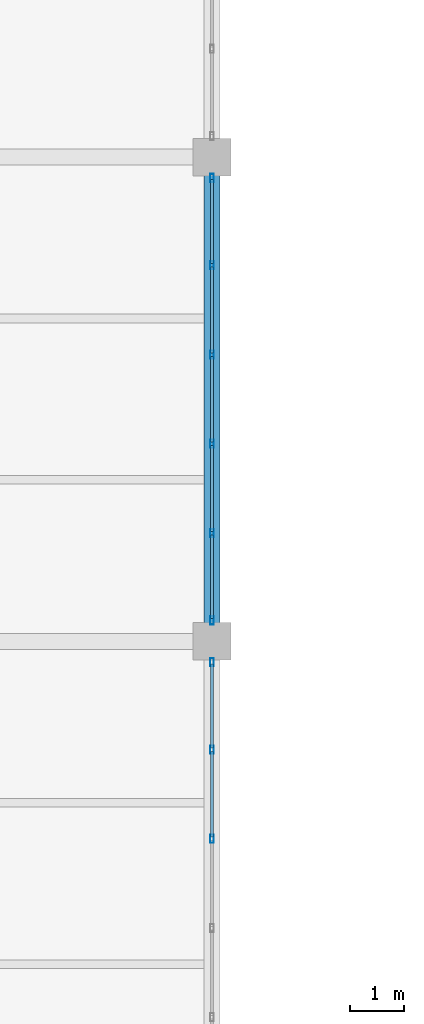
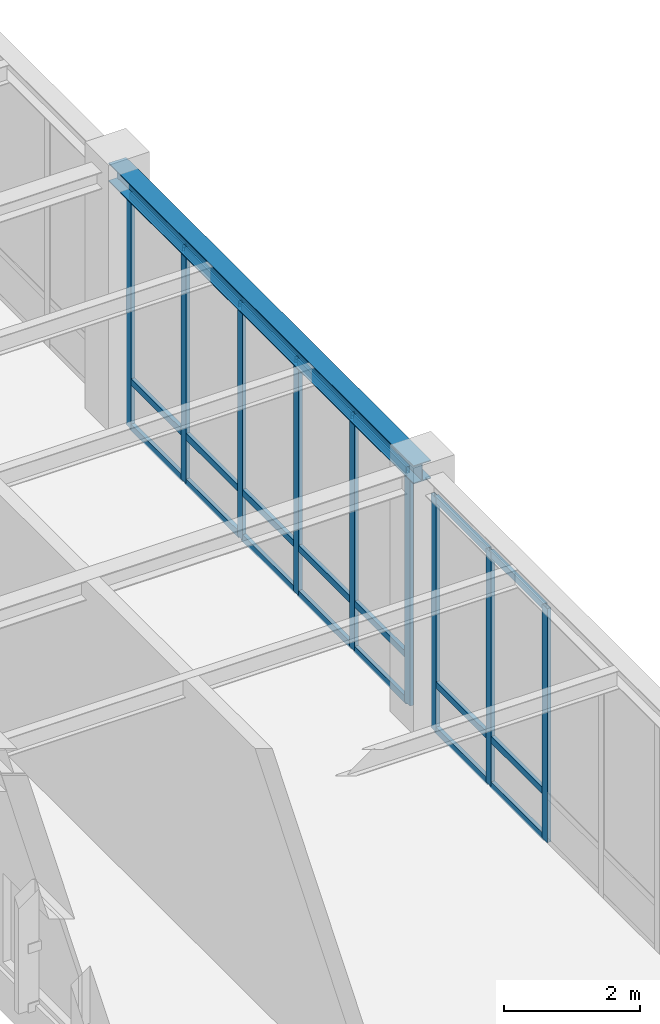
# One storey, part 36 of 98: 30 members, 1 beam, 2 elements without a shape of their own.
"""IFC4 building model written with IfcOpenShell, lengths in metres."""

import ifcopenshell
import ifcopenshell.guid

model = None  # the IFC model being written
_history = None  # IfcOwnerHistory: only IFC2X3 demands one
_inside = {}  # id of a spatial element -> (the spatial element, [elements in it])
_under = {}  # id of a project, library or spatial element -> (it, [spatial elements below it])
_declared = {}  # id of a project -> (the project, [libraries it declares])
_typed = {}  # id of a type object -> (the type object, [elements of that type])
_made_of = {}  # id of a material, layer set ... -> (it, [elements and type objects made of it])


def new_model(schema):
    """Start an empty IFC model of exactly this schema.

    Asked for "IFC4X3", IfcOpenShell would pick the latest addendum, in which some entities
    have other attributes; the version numbers below select the first issue.
    IFC2X3 requires an IfcOwnerHistory on every rooted entity: one is made here for all.
    """
    global model, _history
    if schema == "IFC4X3":
        model = ifcopenshell.file(schema_version=(4, 3, 0, 0))
    else:
        model = ifcopenshell.file(schema=schema)
    _inside.clear()
    _under.clear()
    _declared.clear()
    _typed.clear()
    _made_of.clear()
    _history = None
    if model.schema == "IFC2X3":
        org = make("IfcOrganization", Name="unknown")
        user = make(
            "IfcPersonAndOrganization",
            ThePerson=make("IfcPerson", FamilyName="unknown"),
            TheOrganization=org,
        )
        app = make(
            "IfcApplication",
            ApplicationDeveloper=org,
            Version="unknown",
            ApplicationFullName="unknown",
            ApplicationIdentifier="unknown",
        )
        _history = make(
            "IfcOwnerHistory",
            OwningUser=user,
            OwningApplication=app,
            ChangeAction="ADDED",
            CreationDate=0,
        )
    return model


def make(cls, **values):
    """One entity of the class cls with the attributes given. An attribute that is None is left unset."""
    return model.create_entity(
        cls, **{name: value for name, value in values.items() if value is not None}
    )


def rooted(cls, **values):
    """An entity with a GlobalId (a new one), such as an element, a storey or a relation."""
    return make(cls, GlobalId=ifcopenshell.guid.new(), OwnerHistory=_history, **values)


def si_unit(unit_type, name, prefix=None):
    """IfcSIUnit, for example si_unit("LENGTHUNIT", "METRE", prefix="MILLI")."""
    return make("IfcSIUnit", UnitType=unit_type, Prefix=prefix, Name=name)


def assignment(units):
    """IfcUnitAssignment: the units of a project."""
    return None if units is None else make("IfcUnitAssignment", Units=units)


def point(xyz):
    """IfcCartesianPoint."""
    return None if xyz is None else make("IfcCartesianPoint", Coordinates=xyz)


def direction(xyz):
    """IfcDirection."""
    return None if xyz is None else make("IfcDirection", DirectionRatios=xyz)


def frame(location, z_axis=None, x_axis=None):
    """IfcAxis2Placement3D, a coordinate frame: its origin and axes. An axis left out is left unset."""
    return make(
        "IfcAxis2Placement3D",
        Location=point(location),
        Axis=direction(z_axis),
        RefDirection=direction(x_axis),
    )


def frame_2d(location, x_axis=None):
    """IfcAxis2Placement2D, a coordinate frame in the plane: its origin and x axis."""
    return make(
        "IfcAxis2Placement2D", Location=point(location), RefDirection=direction(x_axis)
    )


def origin():
    """The frame at (0, 0, 0) with its axes left unset."""
    return frame((0.0, 0.0, 0.0))


def origin_2d():
    """The frame at (0, 0) in the plane with its x axis left unset."""
    return frame_2d((0.0, 0.0))


def place(relative_to, where):
    """IfcLocalPlacement: puts the frame where relative to a parent placement (None: the world)."""
    return make(
        "IfcLocalPlacement", PlacementRelTo=relative_to, RelativePlacement=where
    )


def context(
    kind, dimensions, precision=None, world=None, true_north=None, identifier=None
):
    """IfcGeometricRepresentationContext, for example the 3D "Model" context."""
    return make(
        "IfcGeometricRepresentationContext",
        ContextIdentifier=identifier,
        ContextType=kind,
        CoordinateSpaceDimension=dimensions,
        Precision=precision,
        WorldCoordinateSystem=world,
        TrueNorth=true_north,
    )


def subcontext(parent, identifier, kind, view, scale=None):
    """IfcGeometricRepresentationSubContext, for example "Body" below "Model"."""
    return make(
        "IfcGeometricRepresentationSubContext",
        ContextIdentifier=identifier,
        ContextType=kind,
        ParentContext=parent,
        TargetScale=scale,
        TargetView=view,
    )


def project(units=None, contexts=None):
    """IfcProject with its units and contexts."""
    return rooted(
        "IfcProject",
        Name="project",
        RepresentationContexts=contexts,
        UnitsInContext=assignment(units),
    )


def spatial(cls, under=None, at=None, **own):
    """A site, building, storey or space (cls), placed at a placement, below another one or the project."""
    s = rooted(cls, ObjectPlacement=at, **own)
    if under is not None:
        _under.setdefault(under.id(), (under, []))[1].append(s)
    return s


def profile(cls, at=None, kind="AREA", **sizes):
    """A parametric profile (cls). Its sizes go by their IFC names, for example OverallWidth=200.0."""
    return make(cls, ProfileType=kind, Position=at, **sizes)


def hollow_rectangle(**sizes):
    """IfcRectangleHollowProfileDef."""
    return profile("IfcRectangleHollowProfileDef", **sizes)


def i_section(**sizes):
    """IfcIShapeProfileDef."""
    return profile("IfcIShapeProfileDef", **sizes)


def extrude(swept, where, along, depth):
    """IfcExtrudedAreaSolid: the profile swept, set in the frame where, extruded along a direction by depth."""
    return make(
        "IfcExtrudedAreaSolid",
        SweptArea=swept,
        Position=where,
        ExtrudedDirection=direction(along),
        Depth=depth,
    )


def shape(context_of_items, identifier, shape_type, items):
    """IfcShapeRepresentation: the items that make up one representation, for example the "Body"."""
    return make(
        "IfcShapeRepresentation",
        ContextOfItems=context_of_items,
        RepresentationIdentifier=identifier,
        RepresentationType=shape_type,
        Items=items,
    )


def material(Name=None, Category=None):
    """IfcMaterial."""
    return make("IfcMaterial", Name=Name, Category=Category)


def material_profile(
    of_material, cross_section, Name=None, Category=None, Priority=None
):
    """IfcMaterialProfile: a cross section and its material."""
    return make(
        "IfcMaterialProfile",
        Name=Name,
        Material=of_material,
        Profile=cross_section,
        Priority=Priority,
        Category=Category,
    )


def profile_set(profiles, Name=None, composite=None):
    """IfcMaterialProfileSet."""
    return make(
        "IfcMaterialProfileSet",
        Name=Name,
        MaterialProfiles=profiles,
        CompositeProfile=composite,
    )


def made_of(thing, what):
    """Note that an element or type object is made of a material, layer set ...; save() writes the relation."""
    if what is not None:
        _made_of.setdefault(what.id(), (what, []))[1].append(thing)
    return thing


def type_object(cls, material=None, **own):
    """A type object (cls), such as IfcWallType, which elements share."""
    return made_of(rooted(cls, **own), material)


def element(
    cls,
    number,
    at=None,
    inside=None,
    cuts=None,
    type_object=None,
    material=None,
    context=None,
    identifier="Body",
    shape_type=None,
    held_by="IfcProductDefinitionShape",
    body=None,
    shapes=None,
    **own,
):
    """One element of the class cls, such as IfcWall. Its Tag is "e" and its number.

    at: its placement. inside: the storey or other place that contains it. cuts: it is an
    opening in that element (IfcRelVoidsElement). A single representation is given by context,
    identifier, shape_type and body (its items); several are given by shapes. held_by: the class
    of the entity that holds the representations. save() writes the other relations.
    """
    e = rooted(cls, Tag="e%d" % number, ObjectPlacement=at, **own)
    if body is not None:
        shapes = [shape(context, identifier, shape_type, body)]
    if shapes is not None:
        e.Representation = make(held_by, Representations=shapes)
    if inside is not None:
        _inside.setdefault(inside.id(), (inside, []))[1].append(e)
    if cuts is not None:
        rooted(
            "IfcRelVoidsElement", RelatingBuildingElement=cuts, RelatedOpeningElement=e
        )
    if type_object is not None:
        _typed.setdefault(type_object.id(), (type_object, []))[1].append(e)
    return made_of(e, material)


def aggregate(whole, parts):
    """IfcRelAggregates: a whole, such as a stair, and the parts it consists of."""
    return rooted("IfcRelAggregates", RelatingObject=whole, RelatedObjects=parts)


def save(model, path):
    """Write the relations noted so far, then the file.

    IfcRelAggregates (storeys below a building ...), IfcRelContainedInSpatialStructure (elements
    in a storey), IfcRelDefinesByType, IfcRelAssociatesMaterial and IfcRelDeclares: one each for
    every whole, place, type object, material and project.
    """
    for whole, parts in _under.values():
        aggregate(whole, parts)
    for where, things in _inside.values():
        rooted(
            "IfcRelContainedInSpatialStructure",
            RelatedElements=things,
            RelatingStructure=where,
        )
    for kind, things in _typed.values():
        rooted("IfcRelDefinesByType", RelatedObjects=things, RelatingType=kind)
    for what, things in _made_of.values():
        rooted("IfcRelAssociatesMaterial", RelatedObjects=things, RelatingMaterial=what)
    for by, libraries in _declared.values():
        rooted("IfcRelDeclares", RelatingContext=by, RelatedDefinitions=libraries)
    model.write(path)


model = new_model("IFC4")

# Units and contexts
model_context = context("Model", 3, precision=1e-05, world=origin(), true_north=direction((0.0, 1.0)))
body_context = subcontext(model_context, "Body", "Model", "MODEL_VIEW")
ifc_project = project(units=[si_unit("LENGTHUNIT", "METRE"), si_unit("AREAUNIT", "SQUARE_METRE"), si_unit("VOLUMEUNIT", "CUBIC_METRE"), si_unit("PLANEANGLEUNIT", "RADIAN"), si_unit("MASSUNIT", "GRAM", prefix="KILO")], contexts=[model_context])

# Site, building, storey
site_placement = place(None, origin())
site = spatial("IfcSite", under=ifc_project, at=site_placement, CompositionType="ELEMENT")
building_placement = place(site_placement, origin())
building = spatial("IfcBuilding", under=site, at=building_placement, Name="Lykobir Media Centre", CompositionType="ELEMENT")
storey_placement = place(building_placement, frame((0.0, 0.0, 10.199951171875)))
storey = spatial("IfcBuildingStorey", under=building, at=storey_placement, Name="L02", CompositionType="ELEMENT", Elevation=10.199951171875)

# Beam
ifc_material_1 = material(Name="Steel S355", Category="steel")
ifc_material_profile_1 = material_profile(ifc_material_1, i_section(OverallWidth=0.300048828125, OverallDepth=0.330078125, WebThickness=0.009521484375, FlangeThickness=0.0166015625, at=origin_2d()), Name="HEA 340")
ifc_profile_set_1 = profile_set([ifc_material_profile_1], Name="Steel S355")
beam_type = type_object("IfcBeamType", Name="BM-HEA340", PredefinedType="BEAM", material=ifc_profile_set_1)
beam_placement = place(storey_placement, frame((99.0, 36.0, 4.39501953125), z_axis=(0.0, 1.0, 0.0), x_axis=(-1.0, 0.0, 0.0)))
element("IfcBeam", 1, at=beam_placement, inside=storey, type_object=beam_type, Name="Beam BM-L02-0990-0360-0990-0450-1460", PredefinedType="BEAM", context=body_context, shape_type="SweptSolid", body=[
    extrude(i_section(OverallWidth=0.300048828125, OverallDepth=0.330078125, WebThickness=0.009521484375, FlangeThickness=0.0166015625, at=origin_2d()), origin(), (0.0, 0.0, 1.0), 9.0),
])

# Curtain wall, members
ifc_material_2 = material(Name="Anodized Aluminium AW-6060", Category="aluminium")
curtain_wall_type = type_object("IfcCurtainWallType", Name="CW-COURT-A", PredefinedType="NOTDEFINED", material=ifc_material_2)
curtain_wall_1_placement = place(storey_placement, origin())
curtain_wall_1 = element("IfcCurtainWall", 2, at=curtain_wall_1_placement, inside=storey, type_object=curtain_wall_type, Name="Curtain wall CW2-L02-0103", PredefinedType="NOTDEFINED")
ifc_material_profile_2 = material_profile(ifc_material_2, hollow_rectangle(XDim=0.06494140625, YDim=0.14990234375, WallThickness=0.00341796875, at=origin_2d()), Name="ALU MULLION 65x150")
ifc_profile_set_2 = profile_set([ifc_material_profile_2], Name="Anodized Aluminium AW-6060")
member_type_1 = type_object("IfcMemberType", Name="CWM-150", PredefinedType="MULLION", material=ifc_profile_set_2)
member_1_placement = place(storey_placement, frame((99.0, 35.612548828125, 0.0), z_axis=(0.0, 0.0, 1.0), x_axis=(1.0, 0.0, 0.0)))
member_1 = element("IfcMember", 3, at=member_1_placement, type_object=member_type_1, Name="CW2-L02-0103 mullion 1", PredefinedType="MULLION", context=body_context, shape_type="SweptSolid", body=[
    extrude(hollow_rectangle(XDim=0.06494140625, YDim=0.14990234375, WallThickness=0.00341796875, at=origin_2d()), origin(), (0.0, 0.0, 1.0), 4.215087890625),
])
member_2_placement = place(storey_placement, frame((99.0, 33.987060546875, 0.0), z_axis=(0.0, 0.0, 1.0), x_axis=(1.0, 0.0, 0.0)))
member_2 = element("IfcMember", 4, at=member_2_placement, type_object=member_type_1, Name="CW2-L02-0103 mullion 2", PredefinedType="MULLION", context=body_context, shape_type="SweptSolid", body=[
    extrude(hollow_rectangle(XDim=0.06494140625, YDim=0.14990234375, WallThickness=0.00341796875, at=origin_2d()), origin(), (0.0, 0.0, 1.0), 4.215087890625),
])
member_3_placement = place(storey_placement, frame((99.0, 32.3291015625, 0.0), z_axis=(0.0, 0.0, 1.0), x_axis=(1.0, 0.0, 0.0)))
member_3 = element("IfcMember", 5, at=member_3_placement, type_object=member_type_1, Name="CW2-L02-0103 mullion 3", PredefinedType="MULLION", context=body_context, shape_type="SweptSolid", body=[
    extrude(hollow_rectangle(XDim=0.06494140625, YDim=0.14990234375, WallThickness=0.00341796875, at=origin_2d()), origin(), (0.0, 0.0, 1.0), 4.215087890625),
])

curtain_wall_2_placement = place(storey_placement, origin())
curtain_wall_2 = element("IfcCurtainWall", 6, at=curtain_wall_2_placement, inside=storey, type_object=curtain_wall_type, Name="Curtain wall CW2-L02-0104", PredefinedType="NOTDEFINED")
member_4_placement = place(storey_placement, frame((99.0, 44.612548828125, 0.0), z_axis=(0.0, 0.0, 1.0), x_axis=(1.0, 0.0, 0.0)))
member_4 = element("IfcMember", 7, at=member_4_placement, type_object=member_type_1, Name="CW2-L02-0104 mullion 1", PredefinedType="MULLION", context=body_context, shape_type="SweptSolid", body=[
    extrude(hollow_rectangle(XDim=0.06494140625, YDim=0.14990234375, WallThickness=0.00341796875, at=origin_2d()), origin(), (0.0, 0.0, 1.0), 4.215087890625),
])
member_5_placement = place(storey_placement, frame((99.0, 42.987060546875, 0.0), z_axis=(0.0, 0.0, 1.0), x_axis=(1.0, 0.0, 0.0)))
member_5 = element("IfcMember", 8, at=member_5_placement, type_object=member_type_1, Name="CW2-L02-0104 mullion 2", PredefinedType="MULLION", context=body_context, shape_type="SweptSolid", body=[
    extrude(hollow_rectangle(XDim=0.06494140625, YDim=0.14990234375, WallThickness=0.00341796875, at=origin_2d()), origin(), (0.0, 0.0, 1.0), 4.215087890625),
])
member_6_placement = place(storey_placement, frame((99.0, 41.3291015625, 0.0), z_axis=(0.0, 0.0, 1.0), x_axis=(1.0, 0.0, 0.0)))
member_6 = element("IfcMember", 9, at=member_6_placement, type_object=member_type_1, Name="CW2-L02-0104 mullion 3", PredefinedType="MULLION", context=body_context, shape_type="SweptSolid", body=[
    extrude(hollow_rectangle(XDim=0.06494140625, YDim=0.14990234375, WallThickness=0.00341796875, at=origin_2d()), origin(), (0.0, 0.0, 1.0), 4.215087890625),
])
member_7_placement = place(storey_placement, frame((99.0, 39.6708984375, 0.0), z_axis=(0.0, 0.0, 1.0), x_axis=(1.0, 0.0, 0.0)))
member_7 = element("IfcMember", 10, at=member_7_placement, type_object=member_type_1, Name="CW2-L02-0104 mullion 4", PredefinedType="MULLION", context=body_context, shape_type="SweptSolid", body=[
    extrude(hollow_rectangle(XDim=0.06494140625, YDim=0.14990234375, WallThickness=0.00341796875, at=origin_2d()), origin(), (0.0, 0.0, 1.0), 4.215087890625),
])
member_8_placement = place(storey_placement, frame((99.0, 38.012939453125, 0.0), z_axis=(0.0, 0.0, 1.0), x_axis=(1.0, 0.0, 0.0)))
member_8 = element("IfcMember", 11, at=member_8_placement, type_object=member_type_1, Name="CW2-L02-0104 mullion 5", PredefinedType="MULLION", context=body_context, shape_type="SweptSolid", body=[
    extrude(hollow_rectangle(XDim=0.06494140625, YDim=0.14990234375, WallThickness=0.00341796875, at=origin_2d()), origin(), (0.0, 0.0, 1.0), 4.215087890625),
])
member_9_placement = place(storey_placement, frame((99.0, 36.387451171875, 0.0), z_axis=(0.0, 0.0, 1.0), x_axis=(1.0, 0.0, 0.0)))
member_9 = element("IfcMember", 12, at=member_9_placement, type_object=member_type_1, Name="CW2-L02-0104 mullion 6", PredefinedType="MULLION", context=body_context, shape_type="SweptSolid", body=[
    extrude(hollow_rectangle(XDim=0.06494140625, YDim=0.14990234375, WallThickness=0.00341796875, at=origin_2d()), origin(), (0.0, 0.0, 1.0), 4.215087890625),
])

# Member
ifc_material_profile_3 = material_profile(ifc_material_2, hollow_rectangle(XDim=0.06494140625, YDim=0.1201171875, WallThickness=0.0029296875, at=origin_2d()), Name="ALU TRANSOM 65x120")
ifc_profile_set_3 = profile_set([ifc_material_profile_3], Name="Anodized Aluminium AW-6060")
member_type_2 = type_object("IfcMemberType", Name="CWT-120", PredefinedType="USERDEFINED", material=ifc_profile_set_3)
member_10_placement = place(storey_placement, frame((99.0, 35.580078125, 0.032470703125), z_axis=(0.0, -1.0, 0.0), x_axis=(1.0, 0.0, 0.0)))
member_10 = element("IfcMember", 13, at=member_10_placement, type_object=member_type_2, Name="CW2-L02-0103 transom 1.1", ObjectType="TRANSOM", PredefinedType="USERDEFINED", context=body_context, shape_type="SweptSolid", body=[
    extrude(hollow_rectangle(XDim=0.06494140625, YDim=0.1201171875, WallThickness=0.0029296875, at=origin_2d()), origin(), (0.0, 0.0, 1.0), 1.560546875),
])

member_11_placement = place(storey_placement, frame((99.0, 35.580078125, 0.85009765625), z_axis=(0.0, -1.0, 0.0), x_axis=(1.0, 0.0, 0.0)))
member_11 = element("IfcMember", 14, at=member_11_placement, type_object=member_type_2, Name="CW2-L02-0103 transom 1.2", ObjectType="TRANSOM", PredefinedType="USERDEFINED", context=body_context, shape_type="SweptSolid", body=[
    extrude(hollow_rectangle(XDim=0.06494140625, YDim=0.1201171875, WallThickness=0.0029296875, at=origin_2d()), origin(), (0.0, 0.0, 1.0), 1.560546875),
])

member_12_placement = place(storey_placement, frame((99.0, 35.580078125, 4.1826171875), z_axis=(0.0, -1.0, 0.0), x_axis=(1.0, 0.0, 0.0)))
member_12 = element("IfcMember", 15, at=member_12_placement, type_object=member_type_2, Name="CW2-L02-0103 transom 1.3", ObjectType="TRANSOM", PredefinedType="USERDEFINED", context=body_context, shape_type="SweptSolid", body=[
    extrude(hollow_rectangle(XDim=0.06494140625, YDim=0.1201171875, WallThickness=0.0029296875, at=origin_2d()), origin(), (0.0, 0.0, 1.0), 1.560546875),
])

member_13_placement = place(storey_placement, frame((99.0, 33.95458984375, 0.032470703125), z_axis=(0.0, -1.0, 0.0), x_axis=(1.0, 0.0, 0.0)))
member_13 = element("IfcMember", 16, at=member_13_placement, type_object=member_type_2, Name="CW2-L02-0103 transom 2.1", ObjectType="TRANSOM", PredefinedType="USERDEFINED", context=body_context, shape_type="SweptSolid", body=[
    extrude(hollow_rectangle(XDim=0.06494140625, YDim=0.1201171875, WallThickness=0.0029296875, at=origin_2d()), origin(), (0.0, 0.0, 1.0), 1.593017578125),
])

member_14_placement = place(storey_placement, frame((99.0, 33.95458984375, 0.85009765625), z_axis=(0.0, -1.0, 0.0), x_axis=(1.0, 0.0, 0.0)))
member_14 = element("IfcMember", 17, at=member_14_placement, type_object=member_type_2, Name="CW2-L02-0103 transom 2.2", ObjectType="TRANSOM", PredefinedType="USERDEFINED", context=body_context, shape_type="SweptSolid", body=[
    extrude(hollow_rectangle(XDim=0.06494140625, YDim=0.1201171875, WallThickness=0.0029296875, at=origin_2d()), origin(), (0.0, 0.0, 1.0), 1.593017578125),
])

member_15_placement = place(storey_placement, frame((99.0, 33.95458984375, 4.1826171875), z_axis=(0.0, -1.0, 0.0), x_axis=(1.0, 0.0, 0.0)))
member_15 = element("IfcMember", 18, at=member_15_placement, type_object=member_type_2, Name="CW2-L02-0103 transom 2.3", ObjectType="TRANSOM", PredefinedType="USERDEFINED", context=body_context, shape_type="SweptSolid", body=[
    extrude(hollow_rectangle(XDim=0.06494140625, YDim=0.1201171875, WallThickness=0.0029296875, at=origin_2d()), origin(), (0.0, 0.0, 1.0), 1.593017578125),
])

aggregate(curtain_wall_1, [member_1, member_2, member_3, member_10, member_11, member_12, member_13, member_14, member_15])

member_16_placement = place(storey_placement, frame((99.0, 44.580078125, 0.032470703125), z_axis=(0.0, -1.0, 0.0), x_axis=(1.0, 0.0, 0.0)))
member_16 = element("IfcMember", 19, at=member_16_placement, type_object=member_type_2, Name="CW2-L02-0104 transom 1.1", ObjectType="TRANSOM", PredefinedType="USERDEFINED", context=body_context, shape_type="SweptSolid", body=[
    extrude(hollow_rectangle(XDim=0.06494140625, YDim=0.1201171875, WallThickness=0.0029296875, at=origin_2d()), origin(), (0.0, 0.0, 1.0), 1.560546875),
])

member_17_placement = place(storey_placement, frame((99.0, 44.580078125, 0.85009765625), z_axis=(0.0, -1.0, 0.0), x_axis=(1.0, 0.0, 0.0)))
member_17 = element("IfcMember", 20, at=member_17_placement, type_object=member_type_2, Name="CW2-L02-0104 transom 1.2", ObjectType="TRANSOM", PredefinedType="USERDEFINED", context=body_context, shape_type="SweptSolid", body=[
    extrude(hollow_rectangle(XDim=0.06494140625, YDim=0.1201171875, WallThickness=0.0029296875, at=origin_2d()), origin(), (0.0, 0.0, 1.0), 1.560546875),
])

member_18_placement = place(storey_placement, frame((99.0, 44.580078125, 4.1826171875), z_axis=(0.0, -1.0, 0.0), x_axis=(1.0, 0.0, 0.0)))
member_18 = element("IfcMember", 21, at=member_18_placement, type_object=member_type_2, Name="CW2-L02-0104 transom 1.3", ObjectType="TRANSOM", PredefinedType="USERDEFINED", context=body_context, shape_type="SweptSolid", body=[
    extrude(hollow_rectangle(XDim=0.06494140625, YDim=0.1201171875, WallThickness=0.0029296875, at=origin_2d()), origin(), (0.0, 0.0, 1.0), 1.560546875),
])

member_19_placement = place(storey_placement, frame((99.0, 42.95458984375, 0.032470703125), z_axis=(0.0, -1.0, 0.0), x_axis=(1.0, 0.0, 0.0)))
member_19 = element("IfcMember", 22, at=member_19_placement, type_object=member_type_2, Name="CW2-L02-0104 transom 2.1", ObjectType="TRANSOM", PredefinedType="USERDEFINED", context=body_context, shape_type="SweptSolid", body=[
    extrude(hollow_rectangle(XDim=0.06494140625, YDim=0.1201171875, WallThickness=0.0029296875, at=origin_2d()), origin(), (0.0, 0.0, 1.0), 1.593017578125),
])

member_20_placement = place(storey_placement, frame((99.0, 42.95458984375, 0.85009765625), z_axis=(0.0, -1.0, 0.0), x_axis=(1.0, 0.0, 0.0)))
member_20 = element("IfcMember", 23, at=member_20_placement, type_object=member_type_2, Name="CW2-L02-0104 transom 2.2", ObjectType="TRANSOM", PredefinedType="USERDEFINED", context=body_context, shape_type="SweptSolid", body=[
    extrude(hollow_rectangle(XDim=0.06494140625, YDim=0.1201171875, WallThickness=0.0029296875, at=origin_2d()), origin(), (0.0, 0.0, 1.0), 1.593017578125),
])

member_21_placement = place(storey_placement, frame((99.0, 42.95458984375, 4.1826171875), z_axis=(0.0, -1.0, 0.0), x_axis=(1.0, 0.0, 0.0)))
member_21 = element("IfcMember", 24, at=member_21_placement, type_object=member_type_2, Name="CW2-L02-0104 transom 2.3", ObjectType="TRANSOM", PredefinedType="USERDEFINED", context=body_context, shape_type="SweptSolid", body=[
    extrude(hollow_rectangle(XDim=0.06494140625, YDim=0.1201171875, WallThickness=0.0029296875, at=origin_2d()), origin(), (0.0, 0.0, 1.0), 1.593017578125),
])

member_22_placement = place(storey_placement, frame((99.0, 41.29638671875, 0.032470703125), z_axis=(0.0, -1.0, 0.0), x_axis=(1.0, 0.0, 0.0)))
member_22 = element("IfcMember", 25, at=member_22_placement, type_object=member_type_2, Name="CW2-L02-0104 transom 3.1", ObjectType="TRANSOM", PredefinedType="USERDEFINED", context=body_context, shape_type="SweptSolid", body=[
    extrude(hollow_rectangle(XDim=0.06494140625, YDim=0.1201171875, WallThickness=0.0029296875, at=origin_2d()), origin(), (0.0, 0.0, 1.0), 1.5927734375),
])

member_23_placement = place(storey_placement, frame((99.0, 41.29638671875, 0.85009765625), z_axis=(0.0, -1.0, 0.0), x_axis=(1.0, 0.0, 0.0)))
member_23 = element("IfcMember", 26, at=member_23_placement, type_object=member_type_2, Name="CW2-L02-0104 transom 3.2", ObjectType="TRANSOM", PredefinedType="USERDEFINED", context=body_context, shape_type="SweptSolid", body=[
    extrude(hollow_rectangle(XDim=0.06494140625, YDim=0.1201171875, WallThickness=0.0029296875, at=origin_2d()), origin(), (0.0, 0.0, 1.0), 1.5927734375),
])

member_24_placement = place(storey_placement, frame((99.0, 41.29638671875, 4.1826171875), z_axis=(0.0, -1.0, 0.0), x_axis=(1.0, 0.0, 0.0)))
member_24 = element("IfcMember", 27, at=member_24_placement, type_object=member_type_2, Name="CW2-L02-0104 transom 3.3", ObjectType="TRANSOM", PredefinedType="USERDEFINED", context=body_context, shape_type="SweptSolid", body=[
    extrude(hollow_rectangle(XDim=0.06494140625, YDim=0.1201171875, WallThickness=0.0029296875, at=origin_2d()), origin(), (0.0, 0.0, 1.0), 1.5927734375),
])

member_25_placement = place(storey_placement, frame((99.0, 39.638427734375, 0.032470703125), z_axis=(0.0, -1.0, 0.0), x_axis=(1.0, 0.0, 0.0)))
member_25 = element("IfcMember", 28, at=member_25_placement, type_object=member_type_2, Name="CW2-L02-0104 transom 4.1", ObjectType="TRANSOM", PredefinedType="USERDEFINED", context=body_context, shape_type="SweptSolid", body=[
    extrude(hollow_rectangle(XDim=0.06494140625, YDim=0.1201171875, WallThickness=0.0029296875, at=origin_2d()), origin(), (0.0, 0.0, 1.0), 1.593017578125),
])

member_26_placement = place(storey_placement, frame((99.0, 39.638427734375, 0.85009765625), z_axis=(0.0, -1.0, 0.0), x_axis=(1.0, 0.0, 0.0)))
member_26 = element("IfcMember", 29, at=member_26_placement, type_object=member_type_2, Name="CW2-L02-0104 transom 4.2", ObjectType="TRANSOM", PredefinedType="USERDEFINED", context=body_context, shape_type="SweptSolid", body=[
    extrude(hollow_rectangle(XDim=0.06494140625, YDim=0.1201171875, WallThickness=0.0029296875, at=origin_2d()), origin(), (0.0, 0.0, 1.0), 1.593017578125),
])

member_27_placement = place(storey_placement, frame((99.0, 39.638427734375, 4.1826171875), z_axis=(0.0, -1.0, 0.0), x_axis=(1.0, 0.0, 0.0)))
member_27 = element("IfcMember", 30, at=member_27_placement, type_object=member_type_2, Name="CW2-L02-0104 transom 4.3", ObjectType="TRANSOM", PredefinedType="USERDEFINED", context=body_context, shape_type="SweptSolid", body=[
    extrude(hollow_rectangle(XDim=0.06494140625, YDim=0.1201171875, WallThickness=0.0029296875, at=origin_2d()), origin(), (0.0, 0.0, 1.0), 1.593017578125),
])

member_28_placement = place(storey_placement, frame((99.0, 37.98046875, 0.032470703125), z_axis=(0.0, -1.0, 0.0), x_axis=(1.0, 0.0, 0.0)))
member_28 = element("IfcMember", 31, at=member_28_placement, type_object=member_type_2, Name="CW2-L02-0104 transom 5.1", ObjectType="TRANSOM", PredefinedType="USERDEFINED", context=body_context, shape_type="SweptSolid", body=[
    extrude(hollow_rectangle(XDim=0.06494140625, YDim=0.1201171875, WallThickness=0.0029296875, at=origin_2d()), origin(), (0.0, 0.0, 1.0), 1.560546875),
])

member_29_placement = place(storey_placement, frame((99.0, 37.98046875, 0.85009765625), z_axis=(0.0, -1.0, 0.0), x_axis=(1.0, 0.0, 0.0)))
member_29 = element("IfcMember", 32, at=member_29_placement, type_object=member_type_2, Name="CW2-L02-0104 transom 5.2", ObjectType="TRANSOM", PredefinedType="USERDEFINED", context=body_context, shape_type="SweptSolid", body=[
    extrude(hollow_rectangle(XDim=0.06494140625, YDim=0.1201171875, WallThickness=0.0029296875, at=origin_2d()), origin(), (0.0, 0.0, 1.0), 1.560546875),
])

member_30_placement = place(storey_placement, frame((99.0, 37.98046875, 4.1826171875), z_axis=(0.0, -1.0, 0.0), x_axis=(1.0, 0.0, 0.0)))
member_30 = element("IfcMember", 33, at=member_30_placement, type_object=member_type_2, Name="CW2-L02-0104 transom 5.3", ObjectType="TRANSOM", PredefinedType="USERDEFINED", context=body_context, shape_type="SweptSolid", body=[
    extrude(hollow_rectangle(XDim=0.06494140625, YDim=0.1201171875, WallThickness=0.0029296875, at=origin_2d()), origin(), (0.0, 0.0, 1.0), 1.560546875),
])

aggregate(curtain_wall_2, [member_4, member_5, member_6, member_7, member_8, member_9, member_16, member_17, member_18, member_19, member_20, member_21, member_22, member_23, member_24, member_25, member_26, member_27, member_28, member_29, member_30])

save(model, "model.ifc")
